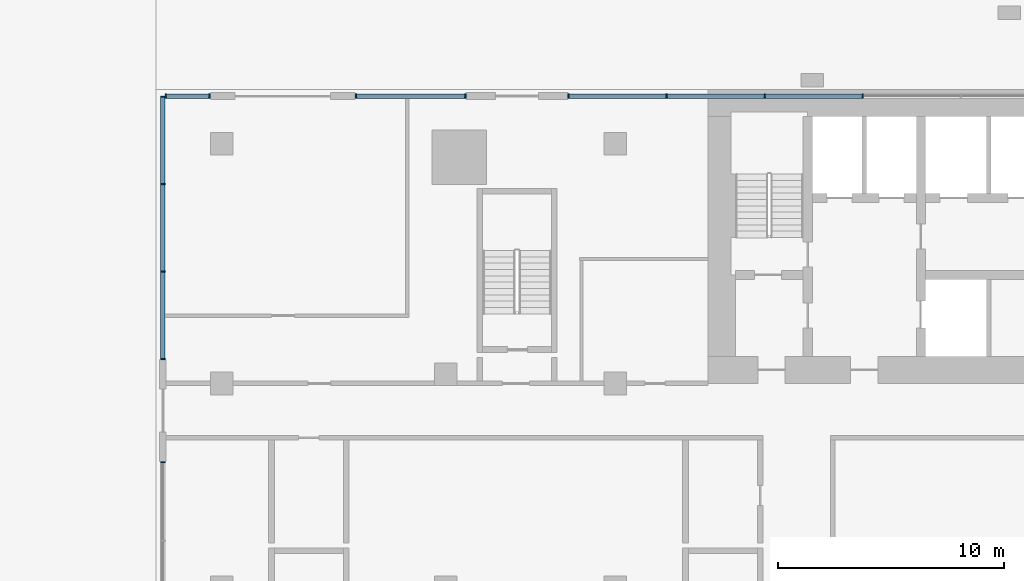
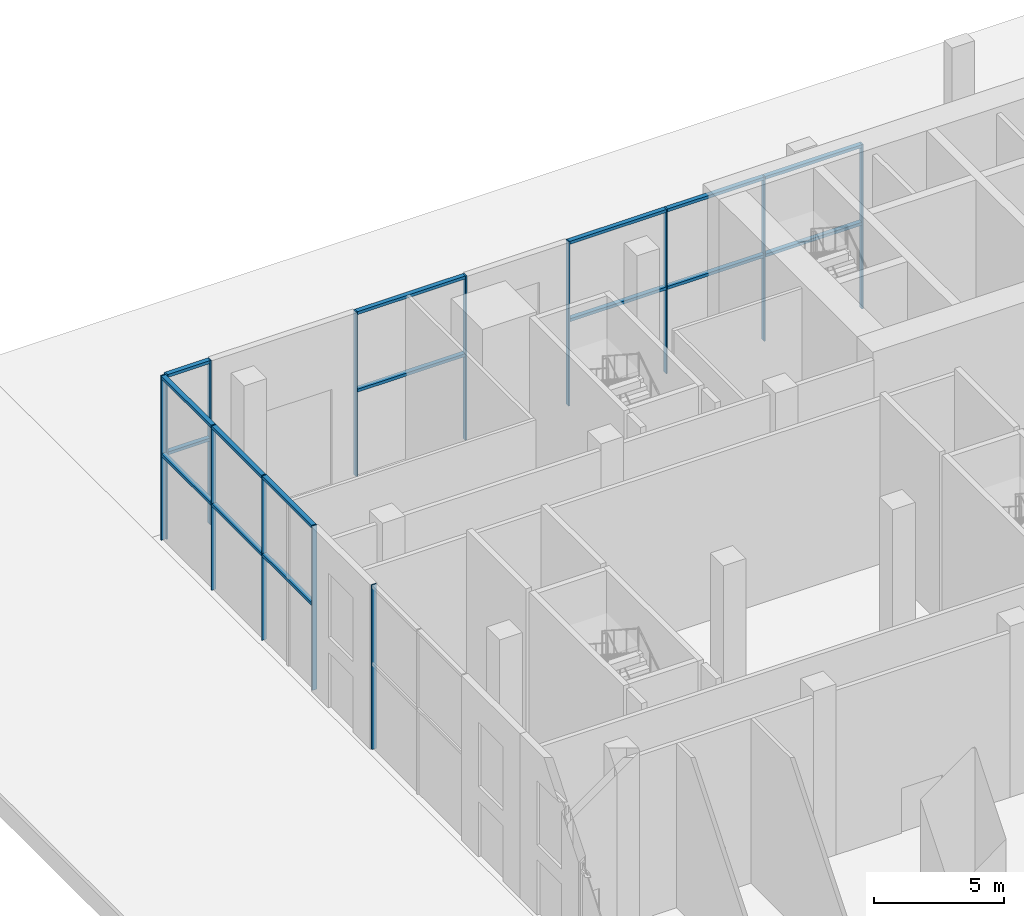
# One storey, part 13 of 31: 29 members, 5 elements without a shape of their own.
"""IFC4 building model written with IfcOpenShell, lengths in metres."""

from ifc_helpers import new_model, si_unit, direction, frame, origin, origin_2d, place, context, subcontext, project, spatial, rectangle, extrude, material, material_profile, profile_set, type_object, element, aggregate, save


model = new_model("IFC4")

# Units and contexts
model_context = context("Model", 3, precision=1e-05, world=origin(), true_north=direction((0.0, 1.0)))
body_context = subcontext(model_context, "Body", "Model", "MODEL_VIEW")
ifc_project = project(units=[si_unit("LENGTHUNIT", "METRE"), si_unit("AREAUNIT", "SQUARE_METRE"), si_unit("VOLUMEUNIT", "CUBIC_METRE"), si_unit("PLANEANGLEUNIT", "RADIAN"), si_unit("MASSUNIT", "GRAM", prefix="KILO")], contexts=[model_context])

# Site, building, storey
site_placement = place(None, origin())
site = spatial("IfcSite", under=ifc_project, at=site_placement, CompositionType="ELEMENT")
building_placement = place(site_placement, origin())
building = spatial("IfcBuilding", under=site, at=building_placement, Name="Bicima Exchange Tower", CompositionType="ELEMENT")
storey_placement = place(building_placement, origin())
storey = spatial("IfcBuildingStorey", under=building, at=storey_placement, Name="L00", CompositionType="ELEMENT", Elevation=0.0)

# Curtain wall, members
ifc_material = material(Name="Anodised bronze aluminium", Category="aluminium")
curtain_wall_type = type_object("IfcCurtainWallType", Name="Lobby glazing", PredefinedType="NOTDEFINED", material=ifc_material)
curtain_wall_1_placement = place(storey_placement, origin())
curtain_wall_1 = element("IfcCurtainWall", 1, at=curtain_wall_1_placement, inside=storey, type_object=curtain_wall_type, Name="Podium glazing L00 north 5", PredefinedType="NOTDEFINED")
ifc_material_profile_1 = material_profile(ifc_material, rectangle(XDim=0.199951171875, YDim=0.06005859375, at=origin_2d()))
ifc_profile_set_1 = profile_set([ifc_material_profile_1], Name="Anodised bronze aluminium")
member_type_1 = type_object("IfcMemberType", Name="Lobby glazing mullion 60 x 200", PredefinedType="MULLION", material=ifc_profile_set_1)
member_1_placement = place(storey_placement, frame((-15.16845703125, -0.300048828125, 0.0), z_axis=(0.0, 0.0, 1.0), x_axis=(0.0, -1.0, 0.0)))
member_1 = element("IfcMember", 2, at=member_1_placement, type_object=member_type_1, Name="Lobby glazing mullion 11", PredefinedType="MULLION", context=body_context, shape_type="SweptSolid", body=[
    extrude(rectangle(XDim=0.199951171875, YDim=0.06005859375, at=origin_2d()), origin(), (0.0, 0.0, 1.0), 7.699951171875),
])
member_2_placement = place(storey_placement, frame((-19.502197265625, -0.300048828125, 0.0), z_axis=(0.0, 0.0, 1.0), x_axis=(0.0, -1.0, 0.0)))
member_2 = element("IfcMember", 3, at=member_2_placement, type_object=member_type_1, Name="Lobby glazing mullion 12", PredefinedType="MULLION", context=body_context, shape_type="SweptSolid", body=[
    extrude(rectangle(XDim=0.199951171875, YDim=0.06005859375, at=origin_2d()), origin(), (0.0, 0.0, 1.0), 7.699951171875),
])
member_3_placement = place(storey_placement, frame((-23.836181640625, -0.300048828125, 0.0), z_axis=(0.0, 0.0, 1.0), x_axis=(0.0, -1.0, 0.0)))
member_3 = element("IfcMember", 4, at=member_3_placement, type_object=member_type_1, Name="Lobby glazing mullion 13", PredefinedType="MULLION", context=body_context, shape_type="SweptSolid", body=[
    extrude(rectangle(XDim=0.199951171875, YDim=0.06005859375, at=origin_2d()), origin(), (0.0, 0.0, 1.0), 7.699951171875),
])
member_4_placement = place(storey_placement, frame((-28.169921875, -0.300048828125, 0.0), z_axis=(0.0, 0.0, 1.0), x_axis=(0.0, -1.0, 0.0)))
member_4 = element("IfcMember", 5, at=member_4_placement, type_object=member_type_1, Name="Lobby glazing mullion 14", PredefinedType="MULLION", context=body_context, shape_type="SweptSolid", body=[
    extrude(rectangle(XDim=0.199951171875, YDim=0.06005859375, at=origin_2d()), origin(), (0.0, 0.0, 1.0), 7.699951171875),
])

curtain_wall_2_placement = place(storey_placement, origin())
curtain_wall_2 = element("IfcCurtainWall", 6, at=curtain_wall_2_placement, inside=storey, type_object=curtain_wall_type, Name="Podium glazing L00 north 7", PredefinedType="NOTDEFINED")
member_5_placement = place(storey_placement, frame((-32.72998046875, -0.300048828125, 0.0), z_axis=(0.0, 0.0, 1.0), x_axis=(0.0, -1.0, 0.0)))
member_5 = element("IfcMember", 7, at=member_5_placement, type_object=member_type_1, Name="Lobby glazing mullion 1", PredefinedType="MULLION", context=body_context, shape_type="SweptSolid", body=[
    extrude(rectangle(XDim=0.199951171875, YDim=0.06005859375, at=origin_2d()), origin(), (0.0, 0.0, 1.0), 7.699951171875),
])
member_6_placement = place(storey_placement, frame((-37.570068359375, -0.300048828125, 0.0), z_axis=(0.0, 0.0, 1.0), x_axis=(0.0, -1.0, 0.0)))
member_6 = element("IfcMember", 8, at=member_6_placement, type_object=member_type_1, Name="Lobby glazing mullion 2", PredefinedType="MULLION", context=body_context, shape_type="SweptSolid", body=[
    extrude(rectangle(XDim=0.199951171875, YDim=0.06005859375, at=origin_2d()), origin(), (0.0, 0.0, 1.0), 7.699951171875),
])

curtain_wall_3_placement = place(storey_placement, origin())
curtain_wall_3 = element("IfcCurtainWall", 9, at=curtain_wall_3_placement, inside=storey, type_object=curtain_wall_type, Name="Podium glazing L00 north 9", PredefinedType="NOTDEFINED")
member_7_placement = place(storey_placement, frame((-44.030029296875, -0.300048828125, 0.0), z_axis=(0.0, 0.0, 1.0), x_axis=(0.0, -1.0, 0.0)))
member_7 = element("IfcMember", 10, at=member_7_placement, type_object=member_type_1, Name="Lobby glazing mullion 1", PredefinedType="MULLION", context=body_context, shape_type="SweptSolid", body=[
    extrude(rectangle(XDim=0.199951171875, YDim=0.06005859375, at=origin_2d()), origin(), (0.0, 0.0, 1.0), 7.699951171875),
])
member_8_placement = place(storey_placement, frame((-45.969970703125, -0.300048828125, 0.0), z_axis=(0.0, 0.0, 1.0), x_axis=(0.0, -1.0, 0.0)))
member_8 = element("IfcMember", 11, at=member_8_placement, type_object=member_type_1, Name="Lobby glazing mullion 2", PredefinedType="MULLION", context=body_context, shape_type="SweptSolid", body=[
    extrude(rectangle(XDim=0.199951171875, YDim=0.06005859375, at=origin_2d()), origin(), (0.0, 0.0, 1.0), 7.699951171875),
])

curtain_wall_4_placement = place(storey_placement, origin())
curtain_wall_4 = element("IfcCurtainWall", 12, at=curtain_wall_4_placement, inside=storey, type_object=curtain_wall_type, Name="Podium glazing L00 west 1", PredefinedType="NOTDEFINED")
member_9_placement = place(storey_placement, frame((-46.10009765625, -0.330078125, 0.0), z_axis=(0.0, 0.0, 1.0), x_axis=(1.0, 0.0, 0.0)))
member_9 = element("IfcMember", 13, at=member_9_placement, type_object=member_type_1, Name="Lobby glazing mullion 1", PredefinedType="MULLION", context=body_context, shape_type="SweptSolid", body=[
    extrude(rectangle(XDim=0.199951171875, YDim=0.06005859375, at=origin_2d()), origin(), (0.0, 0.0, 1.0), 7.699951171875),
])
member_10_placement = place(storey_placement, frame((-46.10009765625, -4.193359375, 0.0), z_axis=(0.0, 0.0, 1.0), x_axis=(1.0, 0.0, 0.0)))
member_10 = element("IfcMember", 14, at=member_10_placement, type_object=member_type_1, Name="Lobby glazing mullion 2", PredefinedType="MULLION", context=body_context, shape_type="SweptSolid", body=[
    extrude(rectangle(XDim=0.199951171875, YDim=0.06005859375, at=origin_2d()), origin(), (0.0, 0.0, 1.0), 7.699951171875),
])
member_11_placement = place(storey_placement, frame((-46.10009765625, -8.056640625, 0.0), z_axis=(0.0, 0.0, 1.0), x_axis=(1.0, 0.0, 0.0)))
member_11 = element("IfcMember", 15, at=member_11_placement, type_object=member_type_1, Name="Lobby glazing mullion 3", PredefinedType="MULLION", context=body_context, shape_type="SweptSolid", body=[
    extrude(rectangle(XDim=0.199951171875, YDim=0.06005859375, at=origin_2d()), origin(), (0.0, 0.0, 1.0), 7.699951171875),
])
member_12_placement = place(storey_placement, frame((-46.10009765625, -11.919921875, 0.0), z_axis=(0.0, 0.0, 1.0), x_axis=(1.0, 0.0, 0.0)))
member_12 = element("IfcMember", 16, at=member_12_placement, type_object=member_type_1, Name="Lobby glazing mullion 4", PredefinedType="MULLION", context=body_context, shape_type="SweptSolid", body=[
    extrude(rectangle(XDim=0.199951171875, YDim=0.06005859375, at=origin_2d()), origin(), (0.0, 0.0, 1.0), 7.699951171875),
])

# Curtain wall, member
curtain_wall_5_placement = place(storey_placement, origin())
curtain_wall_5 = element("IfcCurtainWall", 17, at=curtain_wall_5_placement, inside=storey, type_object=curtain_wall_type, Name="Podium glazing L00 west 3", PredefinedType="NOTDEFINED")
member_13_placement = place(storey_placement, frame((-46.10009765625, -16.47998046875, 0.0), z_axis=(0.0, 0.0, 1.0), x_axis=(1.0, 0.0, 0.0)))
member_13 = element("IfcMember", 18, at=member_13_placement, type_object=member_type_1, Name="Lobby glazing mullion 1", PredefinedType="MULLION", context=body_context, shape_type="SweptSolid", body=[
    extrude(rectangle(XDim=0.199951171875, YDim=0.06005859375, at=origin_2d()), origin(), (0.0, 0.0, 1.0), 7.699951171875),
])
aggregate(curtain_wall_5, [member_13])

# Member
ifc_material_profile_2 = material_profile(ifc_material, rectangle(XDim=0.199951171875, YDim=0.139892578125, at=origin_2d()))
ifc_profile_set_2 = profile_set([ifc_material_profile_2], Name="Anodised bronze aluminium")
member_type_2 = type_object("IfcMemberType", Name="Lobby glazing transom 140 x 200", PredefinedType="USERDEFINED", material=ifc_profile_set_2)
member_14_placement = place(storey_placement, frame((-15.198486328125, -0.300048828125, 4.0), z_axis=(-1.0, 0.0, 0.0), x_axis=(0.0, -1.0, 0.0)))
member_14 = element("IfcMember", 19, at=member_14_placement, type_object=member_type_2, Name="Lobby glazing transom 11.1", ObjectType="TRANSOM", PredefinedType="USERDEFINED", context=body_context, shape_type="SweptSolid", body=[
    extrude(rectangle(XDim=0.199951171875, YDim=0.139892578125, at=origin_2d()), origin(), (0.0, 0.0, 1.0), 4.27392578125),
])

member_15_placement = place(storey_placement, frame((-15.198486328125, -0.300048828125, 7.6298828125), z_axis=(-1.0, 0.0, 0.0), x_axis=(0.0, -1.0, 0.0)))
member_15 = element("IfcMember", 20, at=member_15_placement, type_object=member_type_2, Name="Lobby glazing transom 11.2", ObjectType="TRANSOM", PredefinedType="USERDEFINED", context=body_context, shape_type="SweptSolid", body=[
    extrude(rectangle(XDim=0.199951171875, YDim=0.139892578125, at=origin_2d()), origin(), (0.0, 0.0, 1.0), 4.27392578125),
])

member_16_placement = place(storey_placement, frame((-19.5322265625, -0.300048828125, 4.0), z_axis=(-1.0, 0.0, 0.0), x_axis=(0.0, -1.0, 0.0)))
member_16 = element("IfcMember", 21, at=member_16_placement, type_object=member_type_2, Name="Lobby glazing transom 12.1", ObjectType="TRANSOM", PredefinedType="USERDEFINED", context=body_context, shape_type="SweptSolid", body=[
    extrude(rectangle(XDim=0.199951171875, YDim=0.139892578125, at=origin_2d()), origin(), (0.0, 0.0, 1.0), 4.27392578125),
])

member_17_placement = place(storey_placement, frame((-19.5322265625, -0.300048828125, 7.6298828125), z_axis=(-1.0, 0.0, 0.0), x_axis=(0.0, -1.0, 0.0)))
member_17 = element("IfcMember", 22, at=member_17_placement, type_object=member_type_2, Name="Lobby glazing transom 12.2", ObjectType="TRANSOM", PredefinedType="USERDEFINED", context=body_context, shape_type="SweptSolid", body=[
    extrude(rectangle(XDim=0.199951171875, YDim=0.139892578125, at=origin_2d()), origin(), (0.0, 0.0, 1.0), 4.27392578125),
])

member_18_placement = place(storey_placement, frame((-23.8662109375, -0.300048828125, 4.0), z_axis=(-1.0, 0.0, 0.0), x_axis=(0.0, -1.0, 0.0)))
member_18 = element("IfcMember", 23, at=member_18_placement, type_object=member_type_2, Name="Lobby glazing transom 13.1", ObjectType="TRANSOM", PredefinedType="USERDEFINED", context=body_context, shape_type="SweptSolid", body=[
    extrude(rectangle(XDim=0.199951171875, YDim=0.139892578125, at=origin_2d()), origin(), (0.0, 0.0, 1.0), 4.273681640625),
])

member_19_placement = place(storey_placement, frame((-23.8662109375, -0.300048828125, 7.6298828125), z_axis=(-1.0, 0.0, 0.0), x_axis=(0.0, -1.0, 0.0)))
member_19 = element("IfcMember", 24, at=member_19_placement, type_object=member_type_2, Name="Lobby glazing transom 13.2", ObjectType="TRANSOM", PredefinedType="USERDEFINED", context=body_context, shape_type="SweptSolid", body=[
    extrude(rectangle(XDim=0.199951171875, YDim=0.139892578125, at=origin_2d()), origin(), (0.0, 0.0, 1.0), 4.273681640625),
])

aggregate(curtain_wall_1, [member_1, member_2, member_3, member_4, member_14, member_15, member_16, member_17, member_18, member_19])

member_20_placement = place(storey_placement, frame((-32.760009765625, -0.300048828125, 4.0), z_axis=(-1.0, 0.0, 0.0), x_axis=(0.0, -1.0, 0.0)))
member_20 = element("IfcMember", 25, at=member_20_placement, type_object=member_type_2, Name="Lobby glazing transom 1.1", ObjectType="TRANSOM", PredefinedType="USERDEFINED", context=body_context, shape_type="SweptSolid", body=[
    extrude(rectangle(XDim=0.199951171875, YDim=0.139892578125, at=origin_2d()), origin(), (0.0, 0.0, 1.0), 4.780029296875),
])

member_21_placement = place(storey_placement, frame((-32.760009765625, -0.300048828125, 7.6298828125), z_axis=(-1.0, 0.0, 0.0), x_axis=(0.0, -1.0, 0.0)))
member_21 = element("IfcMember", 26, at=member_21_placement, type_object=member_type_2, Name="Lobby glazing transom 1.2", ObjectType="TRANSOM", PredefinedType="USERDEFINED", context=body_context, shape_type="SweptSolid", body=[
    extrude(rectangle(XDim=0.199951171875, YDim=0.139892578125, at=origin_2d()), origin(), (0.0, 0.0, 1.0), 4.780029296875),
])

aggregate(curtain_wall_2, [member_5, member_6, member_20, member_21])

member_22_placement = place(storey_placement, frame((-44.06005859375, -0.300048828125, 4.0), z_axis=(-1.0, 0.0, 0.0), x_axis=(0.0, -1.0, 0.0)))
member_22 = element("IfcMember", 27, at=member_22_placement, type_object=member_type_2, Name="Lobby glazing transom 1.1", ObjectType="TRANSOM", PredefinedType="USERDEFINED", context=body_context, shape_type="SweptSolid", body=[
    extrude(rectangle(XDim=0.199951171875, YDim=0.139892578125, at=origin_2d()), origin(), (0.0, 0.0, 1.0), 1.8798828125),
])

member_23_placement = place(storey_placement, frame((-44.06005859375, -0.300048828125, 7.6298828125), z_axis=(-1.0, 0.0, 0.0), x_axis=(0.0, -1.0, 0.0)))
member_23 = element("IfcMember", 28, at=member_23_placement, type_object=member_type_2, Name="Lobby glazing transom 1.2", ObjectType="TRANSOM", PredefinedType="USERDEFINED", context=body_context, shape_type="SweptSolid", body=[
    extrude(rectangle(XDim=0.199951171875, YDim=0.139892578125, at=origin_2d()), origin(), (0.0, 0.0, 1.0), 1.8798828125),
])

aggregate(curtain_wall_3, [member_7, member_8, member_22, member_23])

member_24_placement = place(storey_placement, frame((-46.10009765625, -0.360107421875, 4.0), z_axis=(0.0, -1.0, 0.0), x_axis=(1.0, 0.0, 0.0)))
member_24 = element("IfcMember", 29, at=member_24_placement, type_object=member_type_2, Name="Lobby glazing transom 1.1", ObjectType="TRANSOM", PredefinedType="USERDEFINED", context=body_context, shape_type="SweptSolid", body=[
    extrude(rectangle(XDim=0.199951171875, YDim=0.139892578125, at=origin_2d()), origin(), (0.0, 0.0, 1.0), 3.80322265625),
])

member_25_placement = place(storey_placement, frame((-46.10009765625, -0.360107421875, 7.6298828125), z_axis=(0.0, -1.0, 0.0), x_axis=(1.0, 0.0, 0.0)))
member_25 = element("IfcMember", 30, at=member_25_placement, type_object=member_type_2, Name="Lobby glazing transom 1.2", ObjectType="TRANSOM", PredefinedType="USERDEFINED", context=body_context, shape_type="SweptSolid", body=[
    extrude(rectangle(XDim=0.199951171875, YDim=0.139892578125, at=origin_2d()), origin(), (0.0, 0.0, 1.0), 3.80322265625),
])

member_26_placement = place(storey_placement, frame((-46.10009765625, -4.223388671875, 4.0), z_axis=(0.0, -1.0, 0.0), x_axis=(1.0, 0.0, 0.0)))
member_26 = element("IfcMember", 31, at=member_26_placement, type_object=member_type_2, Name="Lobby glazing transom 2.1", ObjectType="TRANSOM", PredefinedType="USERDEFINED", context=body_context, shape_type="SweptSolid", body=[
    extrude(rectangle(XDim=0.199951171875, YDim=0.139892578125, at=origin_2d()), origin(), (0.0, 0.0, 1.0), 3.80322265625),
])

member_27_placement = place(storey_placement, frame((-46.10009765625, -4.223388671875, 7.6298828125), z_axis=(0.0, -1.0, 0.0), x_axis=(1.0, 0.0, 0.0)))
member_27 = element("IfcMember", 32, at=member_27_placement, type_object=member_type_2, Name="Lobby glazing transom 2.2", ObjectType="TRANSOM", PredefinedType="USERDEFINED", context=body_context, shape_type="SweptSolid", body=[
    extrude(rectangle(XDim=0.199951171875, YDim=0.139892578125, at=origin_2d()), origin(), (0.0, 0.0, 1.0), 3.80322265625),
])

member_28_placement = place(storey_placement, frame((-46.10009765625, -8.086669921875, 4.0), z_axis=(0.0, -1.0, 0.0), x_axis=(1.0, 0.0, 0.0)))
member_28 = element("IfcMember", 33, at=member_28_placement, type_object=member_type_2, Name="Lobby glazing transom 3.1", ObjectType="TRANSOM", PredefinedType="USERDEFINED", context=body_context, shape_type="SweptSolid", body=[
    extrude(rectangle(XDim=0.199951171875, YDim=0.139892578125, at=origin_2d()), origin(), (0.0, 0.0, 1.0), 3.80322265625),
])

member_29_placement = place(storey_placement, frame((-46.10009765625, -8.086669921875, 7.6298828125), z_axis=(0.0, -1.0, 0.0), x_axis=(1.0, 0.0, 0.0)))
member_29 = element("IfcMember", 34, at=member_29_placement, type_object=member_type_2, Name="Lobby glazing transom 3.2", ObjectType="TRANSOM", PredefinedType="USERDEFINED", context=body_context, shape_type="SweptSolid", body=[
    extrude(rectangle(XDim=0.199951171875, YDim=0.139892578125, at=origin_2d()), origin(), (0.0, 0.0, 1.0), 3.80322265625),
])

aggregate(curtain_wall_4, [member_9, member_10, member_11, member_12, member_24, member_25, member_26, member_27, member_28, member_29])

save(model, "model.ifc")
